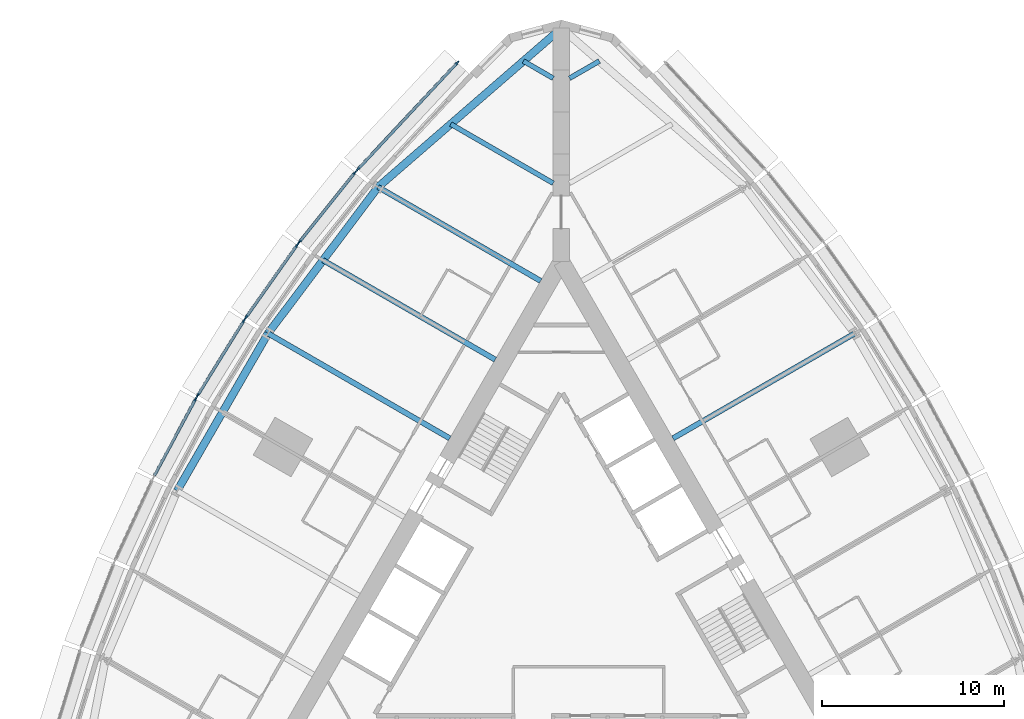
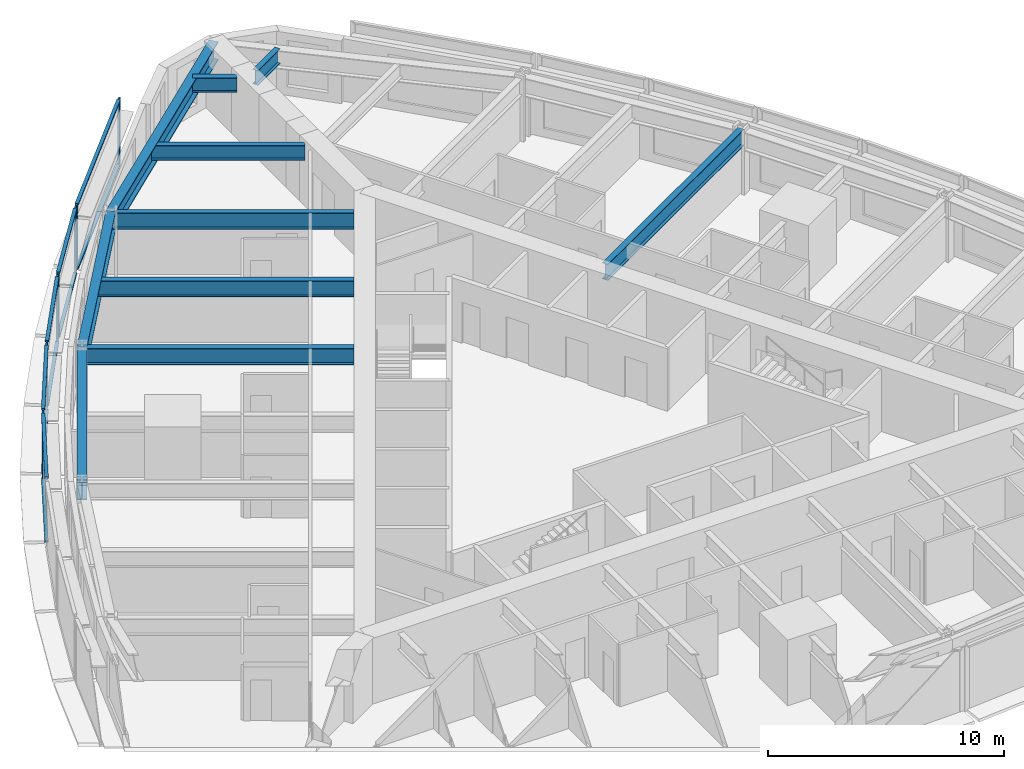
# One storey, part 4 of 14: 19 members, 10 beams, 5 elements without a shape of their own.
"""IFC4 building model written with IfcOpenShell, lengths in metres."""

from ifc_helpers import new_model, si_unit, direction, frame, origin, origin_2d, place, context, subcontext, project, spatial, rectangle, i_section, extrude, material, material_profile, profile_set, type_object, element, aggregate, save


model = new_model("IFC4")

# Units and contexts
model_context = context("Model", 3, precision=1e-05, world=origin(), true_north=direction((0.0, 1.0)))
body_context = subcontext(model_context, "Body", "Model", "MODEL_VIEW")
ifc_project = project(units=[si_unit("LENGTHUNIT", "METRE"), si_unit("AREAUNIT", "SQUARE_METRE"), si_unit("VOLUMEUNIT", "CUBIC_METRE"), si_unit("PLANEANGLEUNIT", "RADIAN"), si_unit("MASSUNIT", "GRAM", prefix="KILO")], contexts=[model_context])

# Site, building, storey
site_placement = place(None, origin())
site = spatial("IfcSite", under=ifc_project, at=site_placement, CompositionType="ELEMENT")
building_placement = place(site_placement, origin())
building = spatial("IfcBuilding", under=site, at=building_placement, Name="Trikona Tower", CompositionType="ELEMENT")
storey_placement = place(building_placement, frame((0.0, 0.0, 28.5)))
storey = spatial("IfcBuildingStorey", under=building, at=storey_placement, Name="L05", CompositionType="ELEMENT", Elevation=28.5)

# Curtain wall, members
ifc_material_1 = material(Name="Aluminium curtain wall system", Category="aluminium")
curtain_wall_type = type_object("IfcCurtainWallType", Name="Curtain wall DS1", PredefinedType="NOTDEFINED", material=ifc_material_1)
curtain_wall_1_placement = place(storey_placement, origin())
curtain_wall_1 = element("IfcCurtainWall", 1, at=curtain_wall_1_placement, inside=storey, type_object=curtain_wall_type, Name="Curtain wall DS1 L05", PredefinedType="NOTDEFINED")
ifc_material_2 = material(Name="Aluminium mullion, pale anodised", Category="aluminium")
ifc_material_profile_1 = material_profile(ifc_material_2, rectangle(XDim=0.080078125, YDim=0.219970703125, at=origin_2d()), Name="MUL-DS1")
ifc_profile_set_1 = profile_set([ifc_material_profile_1], Name="Aluminium mullion, pale anodised")
member_type_1 = type_object("IfcMemberType", Name="Mullion DS1 80x220", PredefinedType="MULLION", material=ifc_profile_set_1)
member_1_placement = place(storey_placement, frame((-5.72607421875, 29.98583984375, 0.0), z_axis=(0.0, 0.0, 1.0), x_axis=(0.731076639405, -0.682295351967, 0.0)))
member_1 = element("IfcMember", 2, at=member_1_placement, type_object=member_type_1, Name="CW-DS1 mullion 1", PredefinedType="MULLION", context=body_context, shape_type="SweptSolid", body=[
    extrude(rectangle(XDim=0.080078125, YDim=0.219970703125, at=origin_2d()), origin(), (0.0, 0.0, 1.0), 3.39990234375),
])
member_2_placement = place(storey_placement, frame((-11.192138671875, 24.129150390625, 0.0), z_axis=(0.0, 0.0, 1.0), x_axis=(0.731076639405, -0.682295351967, 0.0)))
member_2 = element("IfcMember", 3, at=member_2_placement, type_object=member_type_1, Name="CW-DS1 mullion 2", PredefinedType="MULLION", context=body_context, shape_type="SweptSolid", body=[
    extrude(rectangle(XDim=0.080078125, YDim=0.219970703125, at=origin_2d()), origin(), (0.0, 0.0, 1.0), 3.39990234375),
])

curtain_wall_2_placement = place(storey_placement, origin())
curtain_wall_2 = element("IfcCurtainWall", 4, at=curtain_wall_2_placement, inside=storey, type_object=curtain_wall_type, Name="Curtain wall DS1 L05", PredefinedType="NOTDEFINED")
member_3_placement = place(storey_placement, frame((-11.36767578125, 23.926025390625, 0.0), z_axis=(0.0, 0.0, 1.0), x_axis=(0.780937959679, -0.624608599951, 0.0)))
member_3 = element("IfcMember", 5, at=member_3_placement, type_object=member_type_1, Name="CW-DS1 mullion 1", PredefinedType="MULLION", context=body_context, shape_type="SweptSolid", body=[
    extrude(rectangle(XDim=0.080078125, YDim=0.219970703125, at=origin_2d()), origin(), (0.0, 0.0, 1.0), 3.39990234375),
])
member_4_placement = place(storey_placement, frame((-14.40185546875, 20.13232421875, 0.0), z_axis=(0.0, 0.0, 1.0), x_axis=(0.780937959679, -0.624608599951, 0.0)))
member_4 = element("IfcMember", 6, at=member_4_placement, type_object=member_type_1, Name="CW-DS1 mullion 2", PredefinedType="MULLION", context=body_context, shape_type="SweptSolid", body=[
    extrude(rectangle(XDim=0.080078125, YDim=0.219970703125, at=origin_2d()), origin(), (0.0, 0.0, 1.0), 3.39990234375),
])

curtain_wall_3_placement = place(storey_placement, origin())
curtain_wall_3 = element("IfcCurtainWall", 7, at=curtain_wall_3_placement, inside=storey, type_object=curtain_wall_type, Name="Curtain wall DS1 L05", PredefinedType="NOTDEFINED")
member_5_placement = place(storey_placement, frame((-14.554443359375, 19.929443359375, 0.0), z_axis=(0.0, 0.0, 1.0), x_axis=(0.816985393055, -0.576658362928, 0.0)))
member_5 = element("IfcMember", 8, at=member_5_placement, type_object=member_type_1, Name="CW-DS1 mullion 1", PredefinedType="MULLION", context=body_context, shape_type="SweptSolid", body=[
    extrude(rectangle(XDim=0.080078125, YDim=0.219970703125, at=origin_2d()), origin(), (0.0, 0.0, 1.0), 3.39990234375),
])
member_6_placement = place(storey_placement, frame((-17.33447265625, 15.990966796875, 0.0), z_axis=(0.0, 0.0, 1.0), x_axis=(0.816985393055, -0.576658362928, 0.0)))
member_6 = element("IfcMember", 9, at=member_6_placement, type_object=member_type_1, Name="CW-DS1 mullion 2", PredefinedType="MULLION", context=body_context, shape_type="SweptSolid", body=[
    extrude(rectangle(XDim=0.080078125, YDim=0.219970703125, at=origin_2d()), origin(), (0.0, 0.0, 1.0), 3.39990234375),
])

curtain_wall_4_placement = place(storey_placement, origin())
curtain_wall_4 = element("IfcCurtainWall", 10, at=curtain_wall_4_placement, inside=storey, type_object=curtain_wall_type, Name="Curtain wall DS1 L05", PredefinedType="NOTDEFINED")
member_7_placement = place(storey_placement, frame((-17.474853515625, 15.77880859375, 0.0), z_axis=(0.0, 0.0, 1.0), x_axis=(0.850410468941, -0.526119790842, 0.0)))
member_7 = element("IfcMember", 11, at=member_7_placement, type_object=member_type_1, Name="CW-DS1 mullion 1", PredefinedType="MULLION", context=body_context, shape_type="SweptSolid", body=[
    extrude(rectangle(XDim=0.080078125, YDim=0.219970703125, at=origin_2d()), origin(), (0.0, 0.0, 1.0), 3.39990234375),
])
member_8_placement = place(storey_placement, frame((-20.00146484375, 11.69482421875, 0.0), z_axis=(0.0, 0.0, 1.0), x_axis=(0.850410468941, -0.526119790842, 0.0)))
member_8 = element("IfcMember", 12, at=member_8_placement, type_object=member_type_1, Name="CW-DS1 mullion 2", PredefinedType="MULLION", context=body_context, shape_type="SweptSolid", body=[
    extrude(rectangle(XDim=0.080078125, YDim=0.219970703125, at=origin_2d()), origin(), (0.0, 0.0, 1.0), 3.39990234375),
])

# Curtain wall, member
curtain_wall_5_placement = place(storey_placement, origin())
curtain_wall_5 = element("IfcCurtainWall", 13, at=curtain_wall_5_placement, inside=storey, type_object=curtain_wall_type, Name="Curtain wall DS1 L05", PredefinedType="NOTDEFINED")
member_9_placement = place(storey_placement, frame((-20.128662109375, 11.474365234375, 0.0), z_axis=(0.0, 0.0, 1.0), x_axis=(0.880843080975, -0.473408350896, 0.0)))
member_9 = element("IfcMember", 14, at=member_9_placement, type_object=member_type_1, Name="CW-DS1 mullion 1", PredefinedType="MULLION", context=body_context, shape_type="SweptSolid", body=[
    extrude(rectangle(XDim=0.080078125, YDim=0.219970703125, at=origin_2d()), origin(), (0.0, 0.0, 1.0), 3.39990234375),
])

# Beams
ifc_material_3 = material(Name="Steel ASTM A992 Grade 50", Category="steel")
ifc_material_profile_2 = material_profile(ifc_material_3, i_section(OverallWidth=0.2666015625, OverallDepth=0.76953125, WebThickness=0.015625, FlangeThickness=0.025390625, at=origin_2d()), Name="W30X132")
ifc_profile_set_2 = profile_set([ifc_material_profile_2], Name="Steel ASTM A992 Grade 50")
beam_type_1 = type_object("IfcBeamType", Name="Steel beam W30x132 (wedge)", PredefinedType="BEAM", material=ifc_profile_set_2)
for number, where, z_axis, x_axis, name in (
    (15, (0.449951171875, 29.127197265625, 2.85009765625), (0.866009237431, 0.5000279999, 0.0), (-0.5000279999, 0.866009237431, 0.0), "Floor beam L06 F2 u25"),
    (16, (-0.449951171875, 29.127197265625, 2.85009765625), (-0.866009237431, 0.5000279999, 0.0), (-0.5000279999, -0.866009237431, 0.0), "Floor beam L06 F3 u-25"),
):
    element("IfcBeam", number, at=place(storey_placement, frame(where, z_axis=z_axis, x_axis=x_axis)), inside=storey, type_object=beam_type_1, Name=name, PredefinedType="BEAM", context=body_context, shape_type="SweptSolid", body=[
        extrude(i_section(OverallWidth=0.2666015625, OverallDepth=0.76953125, WebThickness=0.015625, FlangeThickness=0.025390625, at=origin_2d()), origin(), (0.0, 0.0, 1.0), 1.890625),
    ])
beam_1_placement = place(storey_placement, frame((-0.449951171875, 23.353759765625, 2.85009765625), z_axis=(-0.866022504693, 0.50000502134, 0.0), x_axis=(-0.50000502134, -0.866022504693, 0.0)))
element("IfcBeam", 17, at=beam_1_placement, inside=storey, type_object=beam_type_1, Name="Floor beam L06 F3 u-20", PredefinedType="BEAM", context=body_context, shape_type="SweptSolid", body=[
    extrude(i_section(OverallWidth=0.2666015625, OverallDepth=0.76953125, WebThickness=0.015625, FlangeThickness=0.025390625, at=origin_2d()), origin(), (0.0, 0.0, 1.0), 6.5068359375),
])
ifc_material_4 = material(Name="Steel ASTM A992 Grade 50", Category="steel")
ifc_material_profile_3 = material_profile(ifc_material_4, i_section(OverallWidth=0.2919921875, OverallDepth=0.845703125, WebThickness=0.015380859375, FlangeThickness=0.0244140625, at=origin_2d()), Name="W33X141")
ifc_profile_set_3 = profile_set([ifc_material_profile_3], Name="Steel ASTM A992 Grade 50")
beam_type_2 = type_object("IfcBeamType", Name="Steel beam W33x141 (radial typ)", PredefinedType="BEAM", material=ifc_profile_set_3)
beam_2_placement = place(storey_placement, frame((6.1396484375, 9.318359375, 2.81201171875), z_axis=(0.866029923217, 0.499992172032, 0.0), x_axis=(-0.499992172032, 0.866029923217, 0.0)))
element("IfcBeam", 18, at=beam_2_placement, inside=storey, type_object=beam_type_2, Name="Floor beam L06 F2 u5", PredefinedType="BEAM", context=body_context, shape_type="SweptSolid", body=[
    extrude(i_section(OverallWidth=0.2919921875, OverallDepth=0.845703125, WebThickness=0.015380859375, FlangeThickness=0.0244140625, at=origin_2d()), origin(), (0.0, 0.0, 1.0), 11.544189453125),
])
beam_3_placement = place(storey_placement, frame((-1.1396484375, 17.978515625, 2.81201171875), z_axis=(-0.866030471684, 0.499991222037, 0.0), x_axis=(-0.499991222037, -0.866030471684, 0.0)))
element("IfcBeam", 19, at=beam_3_placement, inside=storey, type_object=beam_type_2, Name="Floor beam L06 F3 u-15", PredefinedType="BEAM", context=body_context, shape_type="SweptSolid", body=[
    extrude(i_section(OverallWidth=0.2919921875, OverallDepth=0.845703125, WebThickness=0.015380859375, FlangeThickness=0.0244140625, at=origin_2d()), origin(), (0.0, 0.0, 1.0), 10.326904296875),
])
beam_4_placement = place(storey_placement, frame((-3.6396484375, 13.6484375, 2.81201171875), z_axis=(-0.866025348605, 0.500000095573, 0.0), x_axis=(-0.500000095573, -0.866025348605, 0.0)))
element("IfcBeam", 20, at=beam_4_placement, inside=storey, type_object=beam_type_2, Name="Floor beam L06 F3 u-10", PredefinedType="BEAM", context=body_context, shape_type="SweptSolid", body=[
    extrude(i_section(OverallWidth=0.2919921875, OverallDepth=0.845703125, WebThickness=0.015380859375, FlangeThickness=0.0244140625, at=origin_2d()), origin(), (0.0, 0.0, 1.0), 10.935546875),
])
beam_5_placement = place(storey_placement, frame((-6.1396484375, 9.318359375, 2.81201171875), z_axis=(-0.866029923217, 0.499992172032, 0.0), x_axis=(-0.499992172032, -0.866029923217, 0.0)))
element("IfcBeam", 21, at=beam_5_placement, inside=storey, type_object=beam_type_2, Name="Floor beam L06 F3 u-5", PredefinedType="BEAM", context=body_context, shape_type="SweptSolid", body=[
    extrude(i_section(OverallWidth=0.2919921875, OverallDepth=0.845703125, WebThickness=0.015380859375, FlangeThickness=0.0244140625, at=origin_2d()), origin(), (0.0, 0.0, 1.0), 11.544189453125),
])
ifc_material_5 = material(Name="Steel ASTM A992 Grade 50", Category="steel")
ifc_material_profile_4 = material_profile(ifc_material_5, i_section(OverallWidth=0.424072265625, OverallDepth=0.947509765625, WebThickness=0.02392578125, FlangeThickness=0.042724609375, at=origin_2d()), Name="W36X302")
ifc_profile_set_4 = profile_set([ifc_material_profile_4], Name="Steel ASTM A992 Grade 50")
beam_type_3 = type_object("IfcBeamType", Name="Steel beam W36x302 (spandrel)", PredefinedType="SPANDREL", material=ifc_profile_set_4)
beam_6_placement = place(storey_placement, frame((0.0, 31.881591796875, 2.76123046875), z_axis=(-0.755646822726, -0.654979296851, 0.0), x_axis=(0.654979296851, -0.755646822726, 0.0)))
element("IfcBeam", 22, at=beam_6_placement, inside=storey, type_object=beam_type_3, Name="Spandrel beam L06 F3-1", PredefinedType="SPANDREL", context=body_context, shape_type="SweptSolid", body=[
    extrude(i_section(OverallWidth=0.424072265625, OverallDepth=0.947509765625, WebThickness=0.02392578125, FlangeThickness=0.042724609375, at=origin_2d()), origin(), (0.0, 0.0, 1.0), 13.343505859375),
])
beam_7_placement = place(storey_placement, frame((-10.0830078125, 23.141845703125, 2.76123046875), z_axis=(-0.600988344191, -0.799257787042, 0.0), x_axis=(0.799257787042, -0.600988344191, 0.0)))
element("IfcBeam", 23, at=beam_7_placement, inside=storey, type_object=beam_type_3, Name="Spandrel beam L06 F3-2", PredefinedType="SPANDREL", context=body_context, shape_type="SweptSolid", body=[
    extrude(i_section(OverallWidth=0.424072265625, OverallDepth=0.947509765625, WebThickness=0.02392578125, FlangeThickness=0.042724609375, at=origin_2d()), origin(), (0.0, 0.0, 1.0), 10.07373046875),
])
beam_8_placement = place(storey_placement, frame((-16.13720703125, 15.09033203125, 2.76123046875), z_axis=(-0.500004234368, -0.866022959057, 0.0), x_axis=(0.866022959057, -0.500004234368, 0.0)))
element("IfcBeam", 24, at=beam_8_placement, inside=storey, type_object=beam_type_3, Name="Spandrel beam L06 F3-3", PredefinedType="SPANDREL", context=body_context, shape_type="SweptSolid", body=[
    extrude(i_section(OverallWidth=0.424072265625, OverallDepth=0.947509765625, WebThickness=0.02392578125, FlangeThickness=0.042724609375, at=origin_2d()), origin(), (0.0, 0.0, 1.0), 10.0),
])

# Member
ifc_material_6 = material(Name="Aluminium transom, pale anodised", Category="aluminium")
ifc_material_profile_5 = material_profile(ifc_material_6, rectangle(XDim=0.159912109375, YDim=0.080078125, at=origin_2d()), Name="TRN-DS1")
ifc_profile_set_5 = profile_set([ifc_material_profile_5], Name="Aluminium transom, pale anodised")
member_type_2 = type_object("IfcMemberType", Name="Transom DS1 80x160", PredefinedType="USERDEFINED", material=ifc_profile_set_5)
member_10_placement = place(storey_placement, frame((-5.75341796875, 29.95654296875, 0.0400390625), z_axis=(-0.682290830921, -0.731080858758, 0.0), x_axis=(0.731080858758, -0.682290830921, 0.0)))
member_10 = element("IfcMember", 25, at=member_10_placement, type_object=member_type_2, Name="CW-DS1 transom 1.1", ObjectType="TRANSOM", PredefinedType="USERDEFINED", context=body_context, shape_type="SweptSolid", body=[
    extrude(rectangle(XDim=0.159912109375, YDim=0.080078125, at=origin_2d()), origin(), (0.0, 0.0, 1.0), 7.93115234375),
])

member_11_placement = place(storey_placement, frame((-5.75341796875, 29.95654296875, 3.360107421875), z_axis=(-0.682290830921, -0.731080858758, 0.0), x_axis=(0.731080858758, -0.682290830921, 0.0)))
member_11 = element("IfcMember", 26, at=member_11_placement, type_object=member_type_2, Name="CW-DS1 transom 1.2", ObjectType="TRANSOM", PredefinedType="USERDEFINED", context=body_context, shape_type="SweptSolid", body=[
    extrude(rectangle(XDim=0.159912109375, YDim=0.080078125, at=origin_2d()), origin(), (0.0, 0.0, 1.0), 7.93115234375),
])

aggregate(curtain_wall_1, [member_1, member_2, member_10, member_11])

member_12_placement = place(storey_placement, frame((-11.392822265625, 23.894775390625, 0.0400390625), z_axis=(-0.624589103832, -0.780953552636, 0.0), x_axis=(0.780953552636, -0.624589103832, 0.0)))
member_12 = element("IfcMember", 27, at=member_12_placement, type_object=member_type_2, Name="CW-DS1 transom 1.1", ObjectType="TRANSOM", PredefinedType="USERDEFINED", context=body_context, shape_type="SweptSolid", body=[
    extrude(rectangle(XDim=0.159912109375, YDim=0.080078125, at=origin_2d()), origin(), (0.0, 0.0, 1.0), 4.77783203125),
])

member_13_placement = place(storey_placement, frame((-11.392822265625, 23.894775390625, 3.360107421875), z_axis=(-0.624589103832, -0.780953552636, 0.0), x_axis=(0.780953552636, -0.624589103832, 0.0)))
member_13 = element("IfcMember", 28, at=member_13_placement, type_object=member_type_2, Name="CW-DS1 transom 1.2", ObjectType="TRANSOM", PredefinedType="USERDEFINED", context=body_context, shape_type="SweptSolid", body=[
    extrude(rectangle(XDim=0.159912109375, YDim=0.080078125, at=origin_2d()), origin(), (0.0, 0.0, 1.0), 4.77783203125),
])

aggregate(curtain_wall_2, [member_3, member_4, member_12, member_13])

member_14_placement = place(storey_placement, frame((-14.57763671875, 19.896728515625, 0.0400390625), z_axis=(-0.57664478015, -0.816994980111, 0.0), x_axis=(0.816994980111, -0.57664478015, 0.0)))
member_14 = element("IfcMember", 29, at=member_14_placement, type_object=member_type_2, Name="CW-DS1 transom 1.1", ObjectType="TRANSOM", PredefinedType="USERDEFINED", context=body_context, shape_type="SweptSolid", body=[
    extrude(rectangle(XDim=0.159912109375, YDim=0.080078125, at=origin_2d()), origin(), (0.0, 0.0, 1.0), 4.740478515625),
])

member_15_placement = place(storey_placement, frame((-14.57763671875, 19.896728515625, 3.360107421875), z_axis=(-0.57664478015, -0.816994980111, 0.0), x_axis=(0.816994980111, -0.57664478015, 0.0)))
member_15 = element("IfcMember", 30, at=member_15_placement, type_object=member_type_2, Name="CW-DS1 transom 1.2", ObjectType="TRANSOM", PredefinedType="USERDEFINED", context=body_context, shape_type="SweptSolid", body=[
    extrude(rectangle(XDim=0.159912109375, YDim=0.080078125, at=origin_2d()), origin(), (0.0, 0.0, 1.0), 4.740478515625),
])

aggregate(curtain_wall_3, [member_5, member_6, member_14, member_15])

member_16_placement = place(storey_placement, frame((-17.495849609375, 15.744873046875, 0.0400390625), z_axis=(-0.526080502257, -0.850434774186, 0.0), x_axis=(0.850434774186, -0.526080502257, 0.0)))
member_16 = element("IfcMember", 31, at=member_16_placement, type_object=member_type_2, Name="CW-DS1 transom 1.1", ObjectType="TRANSOM", PredefinedType="USERDEFINED", context=body_context, shape_type="SweptSolid", body=[
    extrude(rectangle(XDim=0.159912109375, YDim=0.080078125, at=origin_2d()), origin(), (0.0, 0.0, 1.0), 4.722412109375),
])

member_17_placement = place(storey_placement, frame((-17.495849609375, 15.744873046875, 3.360107421875), z_axis=(-0.526080502257, -0.850434774186, 0.0), x_axis=(0.850434774186, -0.526080502257, 0.0)))
member_17 = element("IfcMember", 32, at=member_17_placement, type_object=member_type_2, Name="CW-DS1 transom 1.2", ObjectType="TRANSOM", PredefinedType="USERDEFINED", context=body_context, shape_type="SweptSolid", body=[
    extrude(rectangle(XDim=0.159912109375, YDim=0.080078125, at=origin_2d()), origin(), (0.0, 0.0, 1.0), 4.722412109375),
])

aggregate(curtain_wall_4, [member_7, member_8, member_16, member_17])

member_18_placement = place(storey_placement, frame((-20.147705078125, 11.43896484375, 0.0400390625), z_axis=(-0.473427569755, -0.880832751546, 0.0), x_axis=(0.880832751546, -0.473427569755, 0.0)))
member_18 = element("IfcMember", 33, at=member_18_placement, type_object=member_type_2, Name="CW-DS1 transom 1.1", ObjectType="TRANSOM", PredefinedType="USERDEFINED", context=body_context, shape_type="SweptSolid", body=[
    extrude(rectangle(XDim=0.159912109375, YDim=0.080078125, at=origin_2d()), origin(), (0.0, 0.0, 1.0), 4.72216796875),
])

member_19_placement = place(storey_placement, frame((-20.147705078125, 11.43896484375, 3.360107421875), z_axis=(-0.473427569755, -0.880832751546, 0.0), x_axis=(0.880832751546, -0.473427569755, 0.0)))
member_19 = element("IfcMember", 34, at=member_19_placement, type_object=member_type_2, Name="CW-DS1 transom 1.2", ObjectType="TRANSOM", PredefinedType="USERDEFINED", context=body_context, shape_type="SweptSolid", body=[
    extrude(rectangle(XDim=0.159912109375, YDim=0.080078125, at=origin_2d()), origin(), (0.0, 0.0, 1.0), 4.72216796875),
])

aggregate(curtain_wall_5, [member_9, member_18, member_19])

save(model, "model.ifc")
